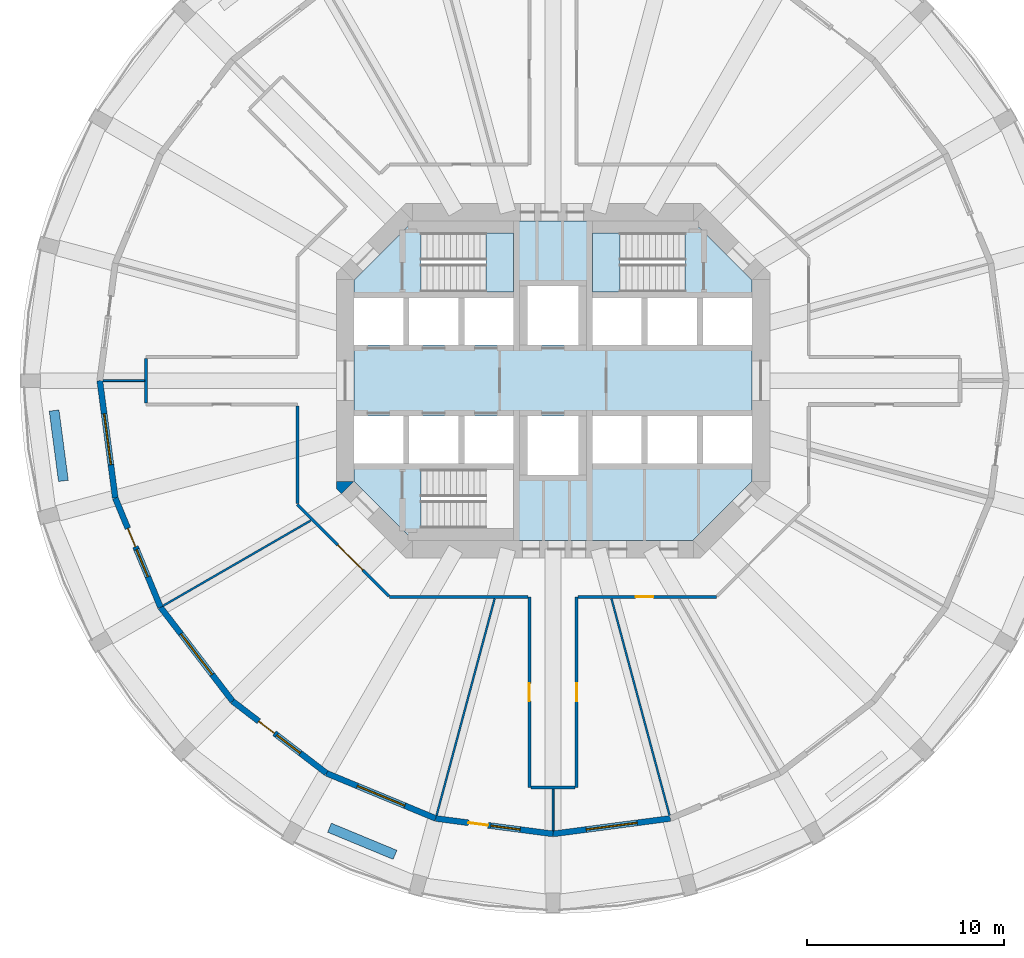
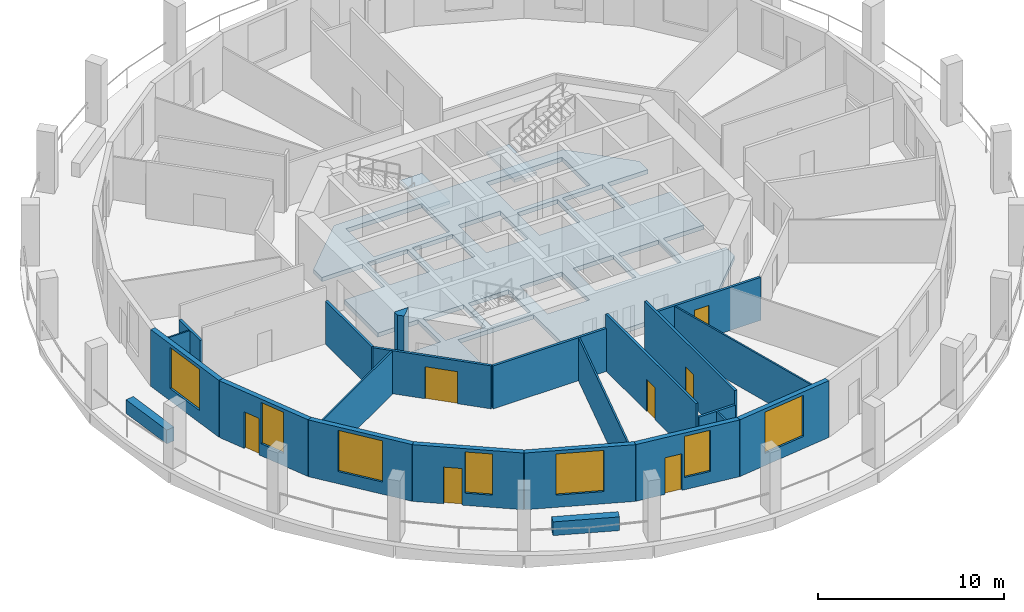
# One storey, part 2 of 9: 23 walls, 7 doors, 7 windows, 3 slabs, 14 openings, 2 elements without a shape of their own.
"""IFC4 building model written with IfcOpenShell, lengths in metres."""

from ifc_helpers import new_model, si_unit, direction, frame, frame_2d, origin, place, context, subcontext, project, spatial, polyline, rectangle, outline, extrude, material, layer, layer_set, type_object, element, fill, aggregate, save


model = new_model("IFC4")

# Units and contexts
model_context = context("Model", 3, precision=1e-05, world=origin(), true_north=direction((0.0, 1.0)))
body_context = subcontext(model_context, "Body", "Model", "MODEL_VIEW")
ifc_project = project(units=[si_unit("LENGTHUNIT", "METRE"), si_unit("AREAUNIT", "SQUARE_METRE"), si_unit("VOLUMEUNIT", "CUBIC_METRE"), si_unit("PLANEANGLEUNIT", "RADIAN"), si_unit("MASSUNIT", "GRAM", prefix="KILO")], contexts=[model_context])

# Site, building, storey
site_placement = place(None, origin())
site = spatial("IfcSite", under=ifc_project, at=site_placement, CompositionType="ELEMENT")
building_placement = place(site_placement, origin())
building = spatial("IfcBuilding", under=site, at=building_placement, Name="Torre Triforio", CompositionType="ELEMENT")
storey_placement = place(building_placement, frame((0.0, 0.0, 75.0)))
storey = spatial("IfcBuildingStorey", under=building, at=storey_placement, Name="L16", CompositionType="ELEMENT", Elevation=75.0)

# Slab
ifc_material_1 = material(Name="Concrete C60", Category="concrete")
ifc_layer_1 = layer(ifc_material_1, 0.280029296875)
ifc_layer_set_1 = layer_set([ifc_layer_1], Name="Concrete C60")
slab_type_1 = type_object("IfcSlabType", Name="Core floor slab 280 mm C60 REI 120", PredefinedType="FLOOR", material=ifc_layer_set_1)
slab_1_placement = place(storey_placement, frame((0.0, 0.0, -0.280029296875)))
element("IfcSlab", 1, at=slab_1_placement, inside=storey, type_object=slab_type_1, Name="Core floor slab", PredefinedType="FLOOR", context=body_context, shape_type="SweptSolid", body=[
    extrude(outline(polyline([(10.10009765625, -5.10009765625), (7.10009765625, -8.10009765625), (-7.10009765625, -8.10009765625), (-10.10009765625, -5.10009765625), (-10.10009765625, -4.199951171875), (-7.60009765625, -4.199951171875), (-7.60009765625, -1.800048828125), (-10.10009765625, -1.800048828125), (-10.10009765625, 1.800048828125), (-7.60009765625, 1.800048828125), (-7.60009765625, 4.199951171875), (-10.10009765625, 4.199951171875), (-10.10009765625, 5.10009765625), (-7.10009765625, 8.10009765625), (7.10009765625, 8.10009765625), (10.10009765625, 5.10009765625), (10.10009765625, 4.199951171875), (7.60009765625, 4.199951171875), (7.60009765625, 1.800048828125), (10.10009765625, 1.800048828125), (10.10009765625, -1.800048828125), (7.60009765625, -1.800048828125), (7.60009765625, -4.199951171875), (10.10009765625, -4.199951171875), (10.10009765625, -5.10009765625)]), holes=[polyline([(-2.0, -4.5), (-6.696044921875, -4.5), (-6.696044921875, -7.5), (-2.0, -7.5), (-2.0, -4.5)]), polyline([(-4.800048828125, -1.800048828125), (-7.300048828125, -1.800048828125), (-7.300048828125, -4.199951171875), (-4.800048828125, -4.199951171875), (-4.800048828125, -1.800048828125)]), polyline([(-2.0, -1.800048828125), (-4.5, -1.800048828125), (-4.5, -4.199951171875), (-2.0, -4.199951171875), (-2.0, -1.800048828125)]), polyline([(-4.800048828125, 4.199951171875), (-7.300048828125, 4.199951171875), (-7.300048828125, 1.800048828125), (-4.800048828125, 1.800048828125), (-4.800048828125, 4.199951171875)]), polyline([(-2.0, 4.199951171875), (-4.5, 4.199951171875), (-4.5, 1.800048828125), (-2.0, 1.800048828125), (-2.0, 4.199951171875)]), polyline([(1.300048828125, 4.800048828125), (-1.300048828125, 4.800048828125), (-1.300048828125, 1.800048828125), (1.300048828125, 1.800048828125), (1.300048828125, 4.800048828125)]), polyline([(-2.0, 7.5), (-6.696044921875, 7.5), (-6.696044921875, 4.5), (-2.0, 4.5), (-2.0, 7.5)]), polyline([(1.300048828125, -1.800048828125), (-1.300048828125, -1.800048828125), (-1.300048828125, -4.800048828125), (1.300048828125, -4.800048828125), (1.300048828125, -1.800048828125)]), polyline([(4.5, -1.800048828125), (2.0, -1.800048828125), (2.0, -4.199951171875), (4.5, -4.199951171875), (4.5, -1.800048828125)]), polyline([(7.300048828125, -1.800048828125), (4.800048828125, -1.800048828125), (4.800048828125, -4.199951171875), (7.300048828125, -4.199951171875), (7.300048828125, -1.800048828125)]), polyline([(4.5, 4.199951171875), (2.0, 4.199951171875), (2.0, 1.800048828125), (4.5, 1.800048828125), (4.5, 4.199951171875)]), polyline([(7.300048828125, 4.199951171875), (4.800048828125, 4.199951171875), (4.800048828125, 1.800048828125), (7.300048828125, 1.800048828125), (7.300048828125, 4.199951171875)]), polyline([(6.696044921875, 4.5), (6.696044921875, 7.5), (2.0, 7.5), (2.0, 4.5), (6.696044921875, 4.5)])]), origin(), (0.0, 0.0, 1.0), 0.280029296875),
])

# Stair, slab
ifc_material_2 = material(Name="Concrete C40", Category="concrete")
stair_type = type_object("IfcStairType", Name="STAIR HALF-TURN", PredefinedType="HALF_TURN_STAIR", material=ifc_material_2)
stair_1_placement = place(storey_placement, origin())
stair_1 = element("IfcStair", 2, at=stair_1_placement, inside=storey, type_object=stair_type, Name="Exit stair 1", PredefinedType="HALF_TURN_STAIR")
ifc_layer_2 = layer(ifc_material_2, 0.199951171875)
ifc_layer_set_2 = layer_set([ifc_layer_2], Name="Concrete C40")
slab_type_2 = type_object("IfcSlabType", Name="STAIR LANDING 200", PredefinedType="LANDING", material=ifc_layer_set_2)
slab_2_placement = place(storey_placement, frame((0.0, 0.0, 1.800048828125)))
slab_2 = element("IfcSlab", 3, at=slab_2_placement, type_object=slab_type_2, Name="ST1 landing 1", PredefinedType="LANDING", context=body_context, shape_type="SweptSolid", body=[
    extrude(outline(polyline([(-2.0, 4.5), (-2.0, 7.5), (-3.39990234375, 7.5), (-3.39990234375, 4.5), (-2.0, 4.5)])), origin(), (0.0, 0.0, 1.0), 0.199951171875),
])
aggregate(stair_1, [slab_2])

stair_2_placement = place(storey_placement, origin())
stair_2 = element("IfcStair", 4, at=stair_2_placement, inside=storey, type_object=stair_type, Name="Exit stair 2", PredefinedType="HALF_TURN_STAIR")
slab_3_placement = place(storey_placement, frame((0.0, 0.0, 1.800048828125)))
slab_3 = element("IfcSlab", 5, at=slab_3_placement, type_object=slab_type_2, Name="ST2 landing 1", PredefinedType="LANDING", context=body_context, shape_type="SweptSolid", body=[
    extrude(outline(polyline([(3.39990234375, 4.5), (3.39990234375, 7.5), (2.0, 7.5), (2.0, 4.5), (3.39990234375, 4.5)])), origin(), (0.0, 0.0, 1.0), 0.199951171875),
])
aggregate(stair_2, [slab_3])

# Wall
ifc_layer_3 = layer(ifc_material_1, 0.89990234375)
ifc_layer_set_3 = layer_set([ifc_layer_3], Name="Concrete C60")
wall_type_1 = type_object("IfcWallType", Name="Core wall 900 mm C60 EI 120", PredefinedType="SHEAR", material=ifc_layer_set_3)
wall_1_placement = place(storey_placement, frame((0.0, 0.0, -0.280029296875)))
element("IfcWall", 6, at=wall_1_placement, inside=storey, type_object=wall_type_1, Name="Core wall", PredefinedType="SHEAR", context=body_context, shape_type="SweptSolid", body=[
    extrude(outline(polyline([(-11.0, -5.472900390625), (-11.0, -5.1298828125), (-10.1298828125, -5.1298828125), (-10.736328125, -5.736328125), (-11.0, -5.472900390625)])), origin(), (0.0, 0.0, 1.0), 4.0),
])

# Wall, opening, door
ifc_material_3 = material(Name="Plasterboard on metal studs")
ifc_layer_4 = layer(ifc_material_3, 0.14990234375)
ifc_layer_set_4 = layer_set([ifc_layer_4], Name="Plasterboard on metal studs")
wall_type_2 = type_object("IfcWallType", Name="Corridor and tenancy wall 150 mm EI 60", PredefinedType="PARTITIONING", material=ifc_layer_set_4)
wall_2_placement = place(storey_placement, frame((-8.327880859375, -10.93798828125, 0.0), z_axis=(0.0, 0.0, 1.0), x_axis=(-0.707125355289, 0.707088206597, 0.0)))
wall_2 = element("IfcWall", 7, at=wall_2_placement, inside=storey, type_object=wall_type_2, Name="Partition 1", PredefinedType="PARTITIONING", context=body_context, shape_type="SweptSolid", body=[
    extrude(rectangle(XDim=6.572021484375, YDim=0.14990234375, at=frame_2d((3.2861328125, 0.0))), origin(), (0.0, 0.0, 1.0), 2.820068359375),
])
opening_1_placement = place(wall_2_placement, frame((1.873779296875, 0.0, 0.0)))
opening_1 = element("IfcOpeningElement", 8, at=opening_1_placement, cuts=wall_2, Name="Opening N5-08", PredefinedType="OPENING", context=body_context, shape_type="SweptSolid", body=[
    extrude(rectangle(XDim=1.800048828125, YDim=2.10009765625, at=frame_2d((0.89990234375, 1.050048828125))), frame((0.0, 0.0849609375, 0.0), z_axis=(0.0, -1.0, 0.0), x_axis=(1.0, 0.0, 0.0)), (0.0, 0.0, 1.0), 0.169921875),
])
ifc_material_4 = material(Name="Timber", Category="wood")
door_type_1 = type_object("IfcDoorType", Name="Door 1800 x 2100 double leaf EI 30", OperationType="DOUBLE_DOOR_SINGLE_SWING", PredefinedType="DOOR", material=ifc_material_4)
door_1_placement = place(opening_1_placement, origin())
door_1 = element("IfcDoor", 9, at=door_1_placement, inside=storey, type_object=door_type_1, Name="Door N5-08", OperationType="DOUBLE_DOOR_SINGLE_SWING", OverallHeight=2.10009765625, OverallWidth=1.800048828125, PredefinedType="DOOR", context=body_context, shape_type="SweptSolid", body=[
    extrude(rectangle(XDim=1.800048828125, YDim=2.10009765625, at=frame_2d((0.89990234375, 1.050048828125))), frame((0.0, 0.02490234375, 0.0), z_axis=(0.0, -1.0, 0.0), x_axis=(1.0, 0.0, 0.0)), (0.0, 0.0, 1.0), 0.050048828125),
])
fill(opening_1, door_1)

# Walls
wall_3_placement = place(storey_placement, frame((-12.97509765625, -6.23828125, 0.0), z_axis=(0.0, 0.0, 1.0), x_axis=(0.0, 1.0, 0.0)))
element("IfcWall", 10, at=wall_3_placement, inside=storey, type_object=wall_type_2, Name="Partition 2", PredefinedType="PARTITIONING", context=body_context, shape_type="SweptSolid", body=[
    extrude(rectangle(XDim=4.96337890625, YDim=0.14990234375, at=frame_2d((2.481689453125, 0.0))), origin(), (0.0, 0.0, 1.0), 2.820068359375),
])
wall_4_placement = place(storey_placement, frame((-20.648681640625, -1.125, 0.0), z_axis=(0.0, 0.0, 1.0), x_axis=(0.0, 1.0, 0.0)))
element("IfcWall", 11, at=wall_4_placement, inside=storey, type_object=wall_type_2, Name="Partition 4", PredefinedType="PARTITIONING", context=body_context, shape_type="SweptSolid", body=[
    extrude(rectangle(XDim=2.25, YDim=0.14990234375, at=frame_2d((1.125, 0.0))), origin(), (0.0, 0.0, 1.0), 2.820068359375),
])

# Wall, opening, door
wall_5_placement = place(storey_placement, frame((8.291015625, -10.97509765625, 0.0), z_axis=(0.0, 0.0, 1.0), x_axis=(-1.0, 0.0, 0.0)))
wall_5 = element("IfcWall", 12, at=wall_5_placement, inside=storey, type_object=wall_type_2, Name="Partition 26", PredefinedType="PARTITIONING", context=body_context, shape_type="SweptSolid", body=[
    extrude(rectangle(XDim=7.01611328125, YDim=0.14990234375, at=frame_2d((3.508056640625, 0.0))), origin(), (0.0, 0.0, 1.0), 2.820068359375),
])
opening_2_placement = place(wall_5_placement, frame((3.198486328125, 0.0, 0.0)))
opening_2 = element("IfcOpeningElement", 13, at=opening_2_placement, cuts=wall_5, Name="Opening N5-11", PredefinedType="OPENING", context=body_context, shape_type="SweptSolid", body=[
    extrude(rectangle(XDim=0.89990234375, YDim=2.10009765625, at=frame_2d((0.449951171875, 1.050048828125))), frame((0.0, 0.0849609375, 0.0), z_axis=(0.0, -1.0, 0.0), x_axis=(1.0, 0.0, 0.0)), (0.0, 0.0, 1.0), 0.169921875),
])
door_type_2 = type_object("IfcDoorType", Name="Door 900 x 2100 single leaf EI 30", OperationType="NOTDEFINED", PredefinedType="DOOR", material=ifc_material_4)
door_2_placement = place(opening_2_placement, origin())
door_2 = element("IfcDoor", 14, at=door_2_placement, inside=storey, type_object=door_type_2, Name="Door N5-11", OperationType="SINGLE_SWING_LEFT", OverallHeight=2.10009765625, OverallWidth=0.89990234375, PredefinedType="DOOR", context=body_context, shape_type="SweptSolid", body=[
    extrude(rectangle(XDim=0.89990234375, YDim=2.10009765625, at=frame_2d((0.449951171875, 1.050048828125))), frame((0.0, 0.02490234375, 0.0), z_axis=(0.0, -1.0, 0.0), x_axis=(1.0, 0.0, 0.0)), (0.0, 0.0, 1.0), 0.050048828125),
])
fill(opening_2, door_2)

wall_6_placement = place(storey_placement, frame((1.199951171875, -10.97509765625, 0.0), z_axis=(0.0, 0.0, 1.0), x_axis=(0.0, -1.0, 0.0)))
wall_6 = element("IfcWall", 15, at=wall_6_placement, inside=storey, type_object=wall_type_2, Name="Partition 27", PredefinedType="PARTITIONING", context=body_context, shape_type="SweptSolid", body=[
    extrude(rectangle(XDim=9.673583984375, YDim=0.14990234375, at=frame_2d((4.8369140625, 0.0))), origin(), (0.0, 0.0, 1.0), 3.719970703125),
])
opening_3_placement = place(wall_6_placement, frame((4.386962890625, 0.0, 0.0)))
opening_3 = element("IfcOpeningElement", 16, at=opening_3_placement, cuts=wall_6, Name="Opening N5-10", PredefinedType="OPENING", context=body_context, shape_type="SweptSolid", body=[
    extrude(rectangle(XDim=0.89990234375, YDim=2.10009765625, at=frame_2d((0.449951171875, 1.050048828125))), frame((0.0, 0.0849609375, 0.0), z_axis=(0.0, -1.0, 0.0), x_axis=(1.0, 0.0, 0.0)), (0.0, 0.0, 1.0), 0.169921875),
])
door_3_placement = place(opening_3_placement, origin())
door_3 = element("IfcDoor", 17, at=door_3_placement, inside=storey, type_object=door_type_2, Name="Door N5-10", OperationType="SINGLE_SWING_RIGHT", OverallHeight=2.10009765625, OverallWidth=0.89990234375, PredefinedType="DOOR", context=body_context, shape_type="SweptSolid", body=[
    extrude(rectangle(XDim=0.89990234375, YDim=2.10009765625, at=frame_2d((0.449951171875, 1.050048828125))), frame((0.0, 0.02490234375, 0.0), z_axis=(0.0, -1.0, 0.0), x_axis=(1.0, 0.0, 0.0)), (0.0, 0.0, 1.0), 0.050048828125),
])
fill(opening_3, door_3)

# Wall
wall_7_placement = place(storey_placement, frame((1.125, -20.648681640625, 0.0), z_axis=(0.0, 0.0, 1.0), x_axis=(-1.0, 0.0, 0.0)))
element("IfcWall", 18, at=wall_7_placement, inside=storey, type_object=wall_type_2, Name="Partition 28", PredefinedType="PARTITIONING", context=body_context, shape_type="SweptSolid", body=[
    extrude(rectangle(XDim=2.25, YDim=0.14990234375, at=frame_2d((1.125, 0.0))), origin(), (0.0, 0.0, 1.0), 2.820068359375),
])

# Wall, opening, door
wall_8_placement = place(storey_placement, frame((-1.199951171875, -20.648681640625, 0.0), z_axis=(0.0, 0.0, 1.0), x_axis=(0.0, 1.0, 0.0)))
wall_8 = element("IfcWall", 19, at=wall_8_placement, inside=storey, type_object=wall_type_2, Name="Partition 29", PredefinedType="PARTITIONING", context=body_context, shape_type="SweptSolid", body=[
    extrude(rectangle(XDim=9.673583984375, YDim=0.14990234375, at=frame_2d((4.8369140625, 0.0))), origin(), (0.0, 0.0, 1.0), 3.719970703125),
])
opening_4_placement = place(wall_8_placement, frame((4.386962890625, 0.0, 0.0)))
opening_4 = element("IfcOpeningElement", 20, at=opening_4_placement, cuts=wall_8, Name="Opening N5-09", PredefinedType="OPENING", context=body_context, shape_type="SweptSolid", body=[
    extrude(rectangle(XDim=0.89990234375, YDim=2.10009765625, at=frame_2d((0.449951171875, 1.050048828125))), frame((0.0, 0.0849609375, 0.0), z_axis=(0.0, -1.0, 0.0), x_axis=(1.0, 0.0, 0.0)), (0.0, 0.0, 1.0), 0.169921875),
])
door_4_placement = place(opening_4_placement, origin())
door_4 = element("IfcDoor", 21, at=door_4_placement, inside=storey, type_object=door_type_2, Name="Door N5-09", OperationType="SINGLE_SWING_RIGHT", OverallHeight=2.10009765625, OverallWidth=0.89990234375, PredefinedType="DOOR", context=body_context, shape_type="SweptSolid", body=[
    extrude(rectangle(XDim=0.89990234375, YDim=2.10009765625, at=frame_2d((0.449951171875, 1.050048828125))), frame((0.0, 0.02490234375, 0.0), z_axis=(0.0, -1.0, 0.0), x_axis=(1.0, 0.0, 0.0)), (0.0, 0.0, 1.0), 0.050048828125),
])
fill(opening_4, door_4)

# Walls
wall_9_placement = place(storey_placement, frame((-1.27490234375, -10.97509765625, 0.0), z_axis=(0.0, 0.0, 1.0), x_axis=(-1.0, 0.0, 0.0)))
element("IfcWall", 22, at=wall_9_placement, inside=storey, type_object=wall_type_2, Name="Partition 30", PredefinedType="PARTITIONING", context=body_context, shape_type="SweptSolid", body=[
    extrude(rectangle(XDim=7.01611328125, YDim=0.14990234375, at=frame_2d((3.508056640625, 0.0))), origin(), (0.0, 0.0, 1.0), 2.820068359375),
])
ifc_layer_5 = layer(ifc_material_3, 0.10009765625)
ifc_layer_set_5 = layer_set([ifc_layer_5], Name="Plasterboard on metal studs")
wall_type_3 = type_object("IfcWallType", Name="Partition 100 mm board on metal studs", PredefinedType="PARTITIONING", material=ifc_layer_set_5)
wall_10_placement = place(storey_placement, frame((-20.7236328125, 0.0, 0.0), z_axis=(0.0, 0.0, 1.0), x_axis=(-1.0, 0.0, 0.0)))
element("IfcWall", 23, at=wall_10_placement, inside=storey, type_object=wall_type_3, Name="Partition 39", PredefinedType="PARTITIONING", context=body_context, shape_type="SweptSolid", body=[
    extrude(rectangle(XDim=2.113037109375, YDim=0.10009765625, at=frame_2d((1.056640625, 0.0))), origin(), (0.0, 0.0, 1.0), 2.820068359375),
])
wall_11_placement = place(storey_placement, frame((-12.294189453125, -7.097900390625, 0.0), z_axis=(0.0, 0.0, 1.0), x_axis=(-0.866010547425, -0.500025731086, 0.0)))
element("IfcWall", 24, at=wall_11_placement, inside=storey, type_object=wall_type_3, Name="Partition 40", PredefinedType="PARTITIONING", context=body_context, shape_type="SweptSolid", body=[
    extrude(rectangle(XDim=8.640625, YDim=0.10009765625, at=frame_2d((4.3203125, 0.0))), origin(), (0.0, 0.0, 1.0), 2.820068359375),
])
wall_12_placement = place(storey_placement, frame((-2.964599609375, -11.064208984375, 0.0), z_axis=(0.0, 0.0, 1.0), x_axis=(-0.258827930947, -0.965923445291, 0.0)))
element("IfcWall", 25, at=wall_12_placement, inside=storey, type_object=wall_type_3, Name="Partition 41", PredefinedType="PARTITIONING", context=body_context, shape_type="SweptSolid", body=[
    extrude(rectangle(XDim=11.38232421875, YDim=0.10009765625, at=frame_2d((5.691162109375, 0.0))), origin(), (0.0, 0.0, 1.0), 2.820068359375),
])
wall_13_placement = place(storey_placement, frame((0.0, -20.7236328125, 0.0), z_axis=(0.0, 0.0, 1.0), x_axis=(0.0, -1.0, 0.0)))
element("IfcWall", 26, at=wall_13_placement, inside=storey, type_object=wall_type_3, Name="Partition 42", PredefinedType="PARTITIONING", context=body_context, shape_type="SweptSolid", body=[
    extrude(rectangle(XDim=2.113037109375, YDim=0.10009765625, at=frame_2d((1.056640625, 0.0))), origin(), (0.0, 0.0, 1.0), 2.820068359375),
])
wall_14_placement = place(storey_placement, frame((2.964599609375, -11.064208984375, 0.0), z_axis=(0.0, 0.0, 1.0), x_axis=(0.258827930947, -0.965923445291, 0.0)))
element("IfcWall", 27, at=wall_14_placement, inside=storey, type_object=wall_type_3, Name="Partition 43", PredefinedType="PARTITIONING", context=body_context, shape_type="SweptSolid", body=[
    extrude(rectangle(XDim=11.38232421875, YDim=0.10009765625, at=frame_2d((5.691162109375, 0.0))), origin(), (0.0, 0.0, 1.0), 2.820068359375),
])
ifc_material_5 = material(Name="Limestone cladding", Category="masonry")
ifc_layer_6 = layer(ifc_material_5, 0.10009765625)
ifc_layer_7 = layer(ifc_material_2, 0.39990234375)
ifc_layer_set_6 = layer_set([ifc_layer_6, ifc_layer_7], Name="Limestone cladding / Concrete C40")
wall_type_4 = type_object("IfcWallType", Name="Planter wall 500", PredefinedType="PARAPET", material=ifc_layer_set_6)
for number, where, z_axis, x_axis, name in (
    (28, (-25.318603515625, -1.517578125, 0.0), (0.0, 0.0, 1.0), (0.130542222659, -0.991442750795, 0.0), "Planter L16 bay 13"),
    (29, (-11.344970703125, -22.685302734375, 0.0), (0.0, 0.0, 1.0), (0.923885420167, -0.382669217998, 0.0), "Planter L16 bay 17"),
):
    element("IfcWall", number, at=place(storey_placement, frame(where, z_axis=z_axis, x_axis=x_axis)), inside=storey, type_object=wall_type_4, Name=name, PredefinedType="PARAPET", context=body_context, shape_type="SweptSolid", body=[
        extrude(rectangle(XDim=3.60009765625, YDim=0.5, at=frame_2d((1.800048828125, 0.0))), origin(), (0.0, 0.0, 1.0), 0.89990234375),
    ])

# Wall, opening, window
ifc_layer_8 = layer(ifc_material_5, 0.10009765625)
ifc_layer_9 = layer(ifc_material_2, 0.199951171875)
ifc_layer_set_7 = layer_set([ifc_layer_8, ifc_layer_9], Name="Limestone cladding / Concrete C40")
wall_type_5 = type_object("IfcWallType", Name="Stone-faced composite wall 300", PredefinedType="STANDARD", material=ifc_layer_set_7)
wall_15_placement = place(storey_placement, frame((-23.0, 0.0, 0.0), z_axis=(0.0, 0.0, 1.0), x_axis=(0.130522880875, -0.991445297315, 0.0)))
wall_15 = element("IfcWall", 30, at=wall_15_placement, inside=storey, type_object=wall_type_5, Name="External wall L16 bay 13", PredefinedType="STANDARD", context=body_context, shape_type="SweptSolid", body=[
    extrude(rectangle(XDim=6.004150390625, YDim=0.300048828125, at=frame_2d((3.001953125, 0.0))), origin(), (0.0, 0.0, 1.0), 3.719970703125),
])
opening_5_placement = place(wall_15_placement, frame((1.7021484375, 0.0, 0.800048828125)))
opening_5 = element("IfcOpeningElement", 31, at=opening_5_placement, cuts=wall_15, Name="Opening N5-W13", PredefinedType="OPENING", context=body_context, shape_type="SweptSolid", body=[
    extrude(rectangle(XDim=2.60009765625, YDim=2.699951171875, at=frame_2d((1.300048828125, 1.35009765625))), frame((0.0, 0.159912109375, 0.0), z_axis=(0.0, -1.0, 0.0), x_axis=(1.0, 0.0, 0.0)), (0.0, 0.0, 1.0), 0.320068359375),
])
ifc_material_6 = material(Name="Aluminium frame with clear double glazing", Category="aluminium")
window_type_1 = type_object("IfcWindowType", Name="Punched window 2600 x 2700", PartitioningType="DOUBLE_PANEL_VERTICAL", PredefinedType="WINDOW", material=ifc_material_6)
window_1_placement = place(opening_5_placement, origin())
window_1 = element("IfcWindow", 32, at=window_1_placement, inside=storey, type_object=window_type_1, Name="Window EWN2 L16 bay 13", OverallHeight=2.699951171875, OverallWidth=2.60009765625, PartitioningType="SINGLE_PANEL", PredefinedType="WINDOW", context=body_context, shape_type="SweptSolid", body=[
    extrude(rectangle(XDim=2.60009765625, YDim=2.699951171875, at=frame_2d((1.300048828125, 1.35009765625))), frame((0.0, 0.030029296875, 0.0), z_axis=(0.0, -1.0, 0.0), x_axis=(1.0, 0.0, 0.0)), (0.0, 0.0, 1.0), 0.06005859375),
])
fill(opening_5, window_1)

# Wall, openings, door, window
wall_16_placement = place(storey_placement, frame((-22.21630859375, -5.952880859375, 0.0), z_axis=(0.0, 0.0, 1.0), x_axis=(0.382671411433, -0.923884511653, 0.0)))
wall_16 = element("IfcWall", 33, at=wall_16_placement, inside=storey, type_object=wall_type_5, Name="External wall L16 bay 14", PredefinedType="STANDARD", context=body_context, shape_type="SweptSolid", body=[
    extrude(rectangle(XDim=6.004150390625, YDim=0.300048828125, at=frame_2d((3.001953125, 0.0))), origin(), (0.0, 0.0, 1.0), 3.719970703125),
])
opening_6_placement = place(wall_16_placement, frame((1.677001953125, 0.0, 0.0)))
opening_6 = element("IfcOpeningElement", 34, at=opening_6_placement, cuts=wall_16, Name="Opening N5-D14", PredefinedType="OPENING", context=body_context, shape_type="SweptSolid", body=[
    extrude(rectangle(XDim=1.0, YDim=2.39990234375, at=frame_2d((0.5, 1.199951171875))), frame((0.0, 0.159912109375, 0.0), z_axis=(0.0, -1.0, 0.0), x_axis=(1.0, 0.0, 0.0)), (0.0, 0.0, 1.0), 0.320068359375),
])
opening_7_placement = place(wall_16_placement, frame((2.8271484375, 0.0, 0.800048828125)))
opening_7 = element("IfcOpeningElement", 35, at=opening_7_placement, cuts=wall_16, Name="Opening N5-W14A", PredefinedType="OPENING", context=body_context, shape_type="SweptSolid", body=[
    extrude(rectangle(XDim=1.5, YDim=2.699951171875, at=frame_2d((0.75, 1.35009765625))), frame((0.0, 0.159912109375, 0.0), z_axis=(0.0, -1.0, 0.0), x_axis=(1.0, 0.0, 0.0)), (0.0, 0.0, 1.0), 0.320068359375),
])
door_type_3 = type_object("IfcDoorType", Name="Loggia door 1000 x 2400", OperationType="NOTDEFINED", PredefinedType="DOOR", material=ifc_material_6)
door_5_placement = place(opening_6_placement, origin())
door_5 = element("IfcDoor", 36, at=door_5_placement, inside=storey, type_object=door_type_3, Name="Loggia door L16 bay 14", OperationType="SINGLE_SWING_RIGHT", OverallHeight=2.39990234375, OverallWidth=1.0, PredefinedType="DOOR", context=body_context, shape_type="SweptSolid", body=[
    extrude(rectangle(XDim=1.0, YDim=2.39990234375, at=frame_2d((0.5, 1.199951171875))), frame((0.0, 0.02490234375, 0.0), z_axis=(0.0, -1.0, 0.0), x_axis=(1.0, 0.0, 0.0)), (0.0, 0.0, 1.0), 0.050048828125),
])
fill(opening_6, door_5)
window_type_2 = type_object("IfcWindowType", Name="Side window 1500 x 2700", PartitioningType="SINGLE_PANEL", PredefinedType="WINDOW", material=ifc_material_6)
window_2_placement = place(opening_7_placement, origin())
window_2 = element("IfcWindow", 37, at=window_2_placement, inside=storey, type_object=window_type_2, Name="Side window EWN12 L16 bay 14", OverallHeight=2.699951171875, OverallWidth=1.5, PartitioningType="SINGLE_PANEL", PredefinedType="WINDOW", context=body_context, shape_type="SweptSolid", body=[
    extrude(rectangle(XDim=1.5, YDim=2.699951171875, at=frame_2d((0.75, 1.35009765625))), frame((0.0, 0.030029296875, 0.0), z_axis=(0.0, -1.0, 0.0), x_axis=(1.0, 0.0, 0.0)), (0.0, 0.0, 1.0), 0.06005859375),
])
fill(opening_7, window_2)

# Wall, opening, window
wall_17_placement = place(storey_placement, frame((-19.918701171875, -11.5, 0.0), z_axis=(0.0, 0.0, 1.0), x_axis=(0.608778912074, -0.793339924758, 0.0)))
wall_17 = element("IfcWall", 38, at=wall_17_placement, inside=storey, type_object=wall_type_5, Name="External wall L16 bay 15", PredefinedType="STANDARD", context=body_context, shape_type="SweptSolid", body=[
    extrude(rectangle(XDim=6.004150390625, YDim=0.300048828125, at=frame_2d((3.001953125, 0.0))), origin(), (0.0, 0.0, 1.0), 3.719970703125),
])
opening_8_placement = place(wall_17_placement, frame((1.7021484375, 0.0, 0.800048828125)))
opening_8 = element("IfcOpeningElement", 39, at=opening_8_placement, cuts=wall_17, Name="Opening N5-W15", PredefinedType="OPENING", context=body_context, shape_type="SweptSolid", body=[
    extrude(rectangle(XDim=2.60009765625, YDim=2.699951171875, at=frame_2d((1.300048828125, 1.35009765625))), frame((0.0, 0.159912109375, 0.0), z_axis=(0.0, -1.0, 0.0), x_axis=(1.0, 0.0, 0.0)), (0.0, 0.0, 1.0), 0.320068359375),
])
window_3_placement = place(opening_8_placement, origin())
window_3 = element("IfcWindow", 40, at=window_3_placement, inside=storey, type_object=window_type_1, Name="Window EWN2 L16 bay 15", OverallHeight=2.699951171875, OverallWidth=2.60009765625, PartitioningType="SINGLE_PANEL", PredefinedType="WINDOW", context=body_context, shape_type="SweptSolid", body=[
    extrude(rectangle(XDim=2.60009765625, YDim=2.699951171875, at=frame_2d((1.300048828125, 1.35009765625))), frame((0.0, 0.030029296875, 0.0), z_axis=(0.0, -1.0, 0.0), x_axis=(1.0, 0.0, 0.0)), (0.0, 0.0, 1.0), 0.06005859375),
])
fill(opening_8, window_3)

# Wall, openings, door, window
wall_18_placement = place(storey_placement, frame((-16.263427734375, -16.263427734375, 0.0), z_axis=(0.0, 0.0, 1.0), x_axis=(0.793339924758, -0.608778912074, 0.0)))
wall_18 = element("IfcWall", 41, at=wall_18_placement, inside=storey, type_object=wall_type_5, Name="External wall L16 bay 16", PredefinedType="STANDARD", context=body_context, shape_type="SweptSolid", body=[
    extrude(rectangle(XDim=6.004150390625, YDim=0.300048828125, at=frame_2d((3.001953125, 0.0))), origin(), (0.0, 0.0, 1.0), 3.719970703125),
])
opening_9_placement = place(wall_18_placement, frame((1.677001953125, 0.0, 0.0)))
opening_9 = element("IfcOpeningElement", 42, at=opening_9_placement, cuts=wall_18, Name="Opening N5-D16", PredefinedType="OPENING", context=body_context, shape_type="SweptSolid", body=[
    extrude(rectangle(XDim=1.0, YDim=2.39990234375, at=frame_2d((0.5, 1.199951171875))), frame((0.0, 0.159912109375, 0.0), z_axis=(0.0, -1.0, 0.0), x_axis=(1.0, 0.0, 0.0)), (0.0, 0.0, 1.0), 0.320068359375),
])
opening_10_placement = place(wall_18_placement, frame((2.8271484375, 0.0, 0.800048828125)))
opening_10 = element("IfcOpeningElement", 43, at=opening_10_placement, cuts=wall_18, Name="Opening N5-W16A", PredefinedType="OPENING", context=body_context, shape_type="SweptSolid", body=[
    extrude(rectangle(XDim=1.5, YDim=2.699951171875, at=frame_2d((0.75, 1.35009765625))), frame((0.0, 0.159912109375, 0.0), z_axis=(0.0, -1.0, 0.0), x_axis=(1.0, 0.0, 0.0)), (0.0, 0.0, 1.0), 0.320068359375),
])
door_6_placement = place(opening_9_placement, origin())
door_6 = element("IfcDoor", 44, at=door_6_placement, inside=storey, type_object=door_type_3, Name="Loggia door L16 bay 16", OperationType="SINGLE_SWING_LEFT", OverallHeight=2.39990234375, OverallWidth=1.0, PredefinedType="DOOR", context=body_context, shape_type="SweptSolid", body=[
    extrude(rectangle(XDim=1.0, YDim=2.39990234375, at=frame_2d((0.5, 1.199951171875))), frame((0.0, 0.02490234375, 0.0), z_axis=(0.0, -1.0, 0.0), x_axis=(1.0, 0.0, 0.0)), (0.0, 0.0, 1.0), 0.050048828125),
])
fill(opening_9, door_6)
window_4_placement = place(opening_10_placement, origin())
window_4 = element("IfcWindow", 45, at=window_4_placement, inside=storey, type_object=window_type_2, Name="Side window EWN12 L16 bay 16", OverallHeight=2.699951171875, OverallWidth=1.5, PartitioningType="SINGLE_PANEL", PredefinedType="WINDOW", context=body_context, shape_type="SweptSolid", body=[
    extrude(rectangle(XDim=1.5, YDim=2.699951171875, at=frame_2d((0.75, 1.35009765625))), frame((0.0, 0.030029296875, 0.0), z_axis=(0.0, -1.0, 0.0), x_axis=(1.0, 0.0, 0.0)), (0.0, 0.0, 1.0), 0.06005859375),
])
fill(opening_10, window_4)

# Wall, opening, window
wall_19_placement = place(storey_placement, frame((-11.5, -19.918701171875, 0.0), z_axis=(0.0, 0.0, 1.0), x_axis=(0.923884511653, -0.382671411433, 0.0)))
wall_19 = element("IfcWall", 46, at=wall_19_placement, inside=storey, type_object=wall_type_5, Name="External wall L16 bay 17", PredefinedType="STANDARD", context=body_context, shape_type="SweptSolid", body=[
    extrude(rectangle(XDim=6.004150390625, YDim=0.300048828125, at=frame_2d((3.001953125, 0.0))), origin(), (0.0, 0.0, 1.0), 3.719970703125),
])
opening_11_placement = place(wall_19_placement, frame((1.7021484375, 0.0, 0.800048828125)))
opening_11 = element("IfcOpeningElement", 47, at=opening_11_placement, cuts=wall_19, Name="Opening N5-W17", PredefinedType="OPENING", context=body_context, shape_type="SweptSolid", body=[
    extrude(rectangle(XDim=2.60009765625, YDim=2.699951171875, at=frame_2d((1.300048828125, 1.35009765625))), frame((0.0, 0.159912109375, 0.0), z_axis=(0.0, -1.0, 0.0), x_axis=(1.0, 0.0, 0.0)), (0.0, 0.0, 1.0), 0.320068359375),
])
window_5_placement = place(opening_11_placement, origin())
window_5 = element("IfcWindow", 48, at=window_5_placement, inside=storey, type_object=window_type_1, Name="Window EWN2 L16 bay 17", OverallHeight=2.699951171875, OverallWidth=2.60009765625, PartitioningType="SINGLE_PANEL", PredefinedType="WINDOW", context=body_context, shape_type="SweptSolid", body=[
    extrude(rectangle(XDim=2.60009765625, YDim=2.699951171875, at=frame_2d((1.300048828125, 1.35009765625))), frame((0.0, 0.030029296875, 0.0), z_axis=(0.0, -1.0, 0.0), x_axis=(1.0, 0.0, 0.0)), (0.0, 0.0, 1.0), 0.06005859375),
])
fill(opening_11, window_5)

# Wall, openings, door, window
wall_20_placement = place(storey_placement, frame((-5.952880859375, -22.21630859375, 0.0), z_axis=(0.0, 0.0, 1.0), x_axis=(0.991445297315, -0.130522880875, 0.0)))
wall_20 = element("IfcWall", 49, at=wall_20_placement, inside=storey, type_object=wall_type_5, Name="External wall L16 bay 18", PredefinedType="STANDARD", context=body_context, shape_type="SweptSolid", body=[
    extrude(rectangle(XDim=6.004150390625, YDim=0.300048828125, at=frame_2d((3.001953125, 0.0))), origin(), (0.0, 0.0, 1.0), 3.719970703125),
])
opening_12_placement = place(wall_20_placement, frame((1.677001953125, 0.0, 0.0)))
opening_12 = element("IfcOpeningElement", 50, at=opening_12_placement, cuts=wall_20, Name="Opening N5-D18", PredefinedType="OPENING", context=body_context, shape_type="SweptSolid", body=[
    extrude(rectangle(XDim=1.0, YDim=2.39990234375, at=frame_2d((0.5, 1.199951171875))), frame((0.0, 0.159912109375, 0.0), z_axis=(0.0, -1.0, 0.0), x_axis=(1.0, 0.0, 0.0)), (0.0, 0.0, 1.0), 0.320068359375),
])
opening_13_placement = place(wall_20_placement, frame((2.8271484375, 0.0, 0.800048828125)))
opening_13 = element("IfcOpeningElement", 51, at=opening_13_placement, cuts=wall_20, Name="Opening N5-W18A", PredefinedType="OPENING", context=body_context, shape_type="SweptSolid", body=[
    extrude(rectangle(XDim=1.5, YDim=2.699951171875, at=frame_2d((0.75, 1.35009765625))), frame((0.0, 0.159912109375, 0.0), z_axis=(0.0, -1.0, 0.0), x_axis=(1.0, 0.0, 0.0)), (0.0, 0.0, 1.0), 0.320068359375),
])
door_7_placement = place(opening_12_placement, origin())
door_7 = element("IfcDoor", 52, at=door_7_placement, inside=storey, type_object=door_type_3, Name="Loggia door L16 bay 18", OperationType="SINGLE_SWING_RIGHT", OverallHeight=2.39990234375, OverallWidth=1.0, PredefinedType="DOOR", context=body_context, shape_type="SweptSolid", body=[
    extrude(rectangle(XDim=1.0, YDim=2.39990234375, at=frame_2d((0.5, 1.199951171875))), frame((0.0, 0.02490234375, 0.0), z_axis=(0.0, -1.0, 0.0), x_axis=(1.0, 0.0, 0.0)), (0.0, 0.0, 1.0), 0.050048828125),
])
fill(opening_12, door_7)
window_6_placement = place(opening_13_placement, origin())
window_6 = element("IfcWindow", 53, at=window_6_placement, inside=storey, type_object=window_type_2, Name="Side window EWN12 L16 bay 18", OverallHeight=2.699951171875, OverallWidth=1.5, PartitioningType="SINGLE_PANEL", PredefinedType="WINDOW", context=body_context, shape_type="SweptSolid", body=[
    extrude(rectangle(XDim=1.5, YDim=2.699951171875, at=frame_2d((0.75, 1.35009765625))), frame((0.0, 0.030029296875, 0.0), z_axis=(0.0, -1.0, 0.0), x_axis=(1.0, 0.0, 0.0)), (0.0, 0.0, 1.0), 0.06005859375),
])
fill(opening_13, window_6)

# Wall, opening, window
wall_21_placement = place(storey_placement, frame((0.0, -23.0, 0.0), z_axis=(0.0, 0.0, 1.0), x_axis=(0.991445297315, 0.130522880875, 0.0)))
wall_21 = element("IfcWall", 54, at=wall_21_placement, inside=storey, type_object=wall_type_5, Name="External wall L16 bay 19", PredefinedType="STANDARD", context=body_context, shape_type="SweptSolid", body=[
    extrude(rectangle(XDim=6.004150390625, YDim=0.300048828125, at=frame_2d((3.001953125, 0.0))), origin(), (0.0, 0.0, 1.0), 3.719970703125),
])
opening_14_placement = place(wall_21_placement, frame((1.7021484375, 0.0, 0.800048828125)))
opening_14 = element("IfcOpeningElement", 55, at=opening_14_placement, cuts=wall_21, Name="Opening N5-W19", PredefinedType="OPENING", context=body_context, shape_type="SweptSolid", body=[
    extrude(rectangle(XDim=2.60009765625, YDim=2.699951171875, at=frame_2d((1.300048828125, 1.35009765625))), frame((0.0, 0.159912109375, 0.0), z_axis=(0.0, -1.0, 0.0), x_axis=(1.0, 0.0, 0.0)), (0.0, 0.0, 1.0), 0.320068359375),
])
window_7_placement = place(opening_14_placement, origin())
window_7 = element("IfcWindow", 56, at=window_7_placement, inside=storey, type_object=window_type_1, Name="Window EWN2 L16 bay 19", OverallHeight=2.699951171875, OverallWidth=2.60009765625, PartitioningType="SINGLE_PANEL", PredefinedType="WINDOW", context=body_context, shape_type="SweptSolid", body=[
    extrude(rectangle(XDim=2.60009765625, YDim=2.699951171875, at=frame_2d((1.300048828125, 1.35009765625))), frame((0.0, 0.030029296875, 0.0), z_axis=(0.0, -1.0, 0.0), x_axis=(1.0, 0.0, 0.0)), (0.0, 0.0, 1.0), 0.06005859375),
])
fill(opening_14, window_7)

save(model, "model.ifc")
